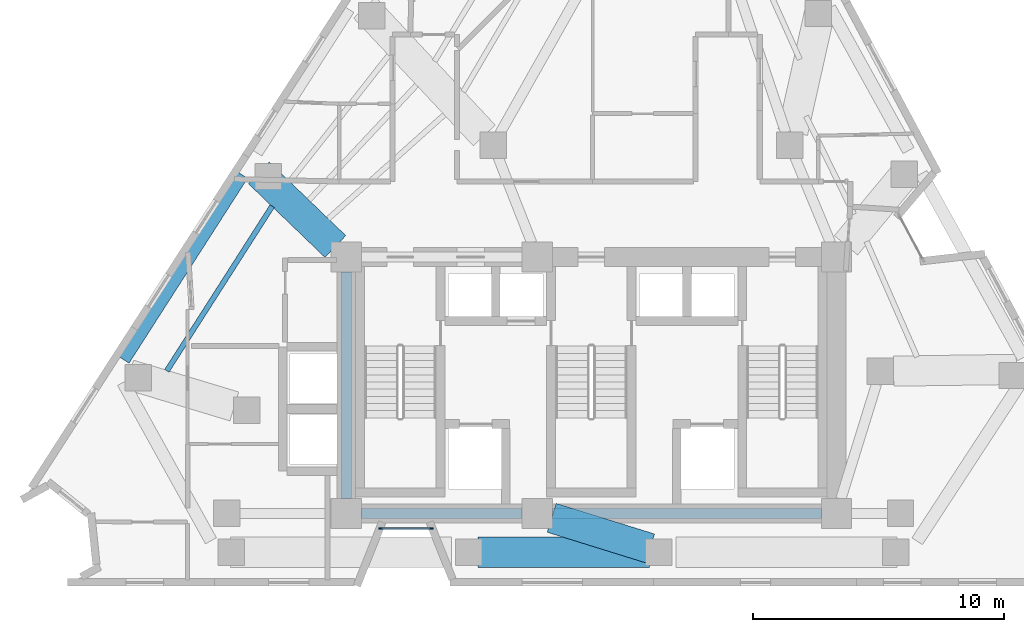
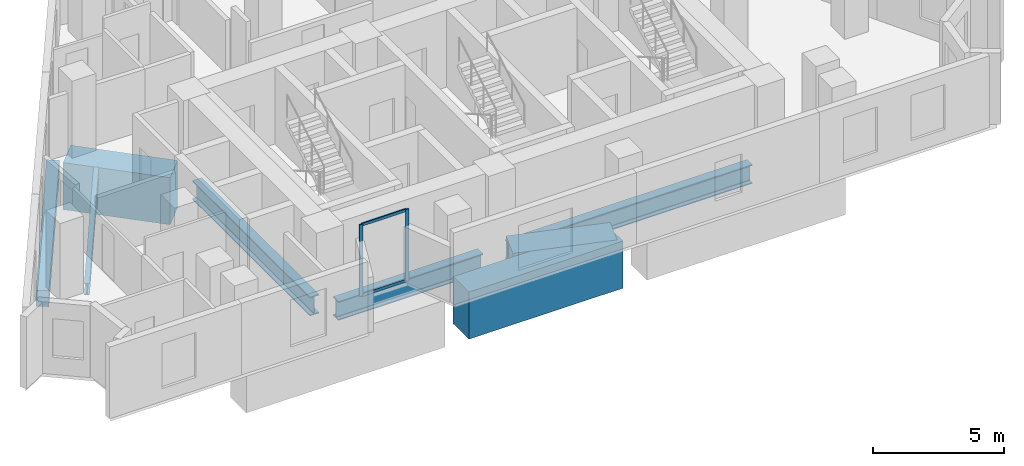
# One storey, part 2 of 11: 8 beams, 4 members, 1 element without a shape of its own.
"""IFC4 building model written with IfcOpenShell, lengths in metres."""

from ifc_helpers import new_model, si_unit, direction, frame, origin, origin_2d, place, context, subcontext, project, spatial, rectangle, i_section, extrude, material, layer, layer_set, material_profile, profile_set, type_object, element, aggregate, save


model = new_model("IFC4")

# Units and contexts
model_context = context("Model", 3, precision=1e-05, world=origin(), true_north=direction((0.0, 1.0)))
body_context = subcontext(model_context, "Body", "Model", "MODEL_VIEW")
ifc_project = project(units=[si_unit("LENGTHUNIT", "METRE"), si_unit("AREAUNIT", "SQUARE_METRE"), si_unit("VOLUMEUNIT", "CUBIC_METRE"), si_unit("PLANEANGLEUNIT", "RADIAN"), si_unit("MASSUNIT", "GRAM", prefix="KILO")], contexts=[model_context])

# Site, building, storey
site_placement = place(None, origin())
site = spatial("IfcSite", under=ifc_project, at=site_placement, CompositionType="ELEMENT")
building_placement = place(site_placement, origin())
building = spatial("IfcBuilding", under=site, at=building_placement, Name="Almagre Mirador Tower", CompositionType="ELEMENT")
storey_placement = place(building_placement, frame((0.0, 0.0, 175.199951171875)))
storey = spatial("IfcBuildingStorey", under=building, at=storey_placement, Name="L45", CompositionType="ELEMENT", Elevation=175.199951171875)

# Beams
ifc_material_1 = material(Name="Steel ASTM A992 Grade 50", Category="steel")
ifc_material_profile_1 = material_profile(ifc_material_1, i_section(OverallWidth=0.208984375, OverallDepth=0.532958984375, WebThickness=0.01025390625, FlangeThickness=0.015625, FilletRadius=0.01806640625, at=origin_2d()), Name="W21X62")
ifc_profile_set_1 = profile_set([ifc_material_profile_1], Name="Steel ASTM A992 Grade 50")
beam_type_1 = type_object("IfcBeamType", Name="BM-JST-W21X62", PredefinedType="JOIST", material=ifc_profile_set_1)
beam_1_placement = place(storey_placement, frame((24.6044921875, 16.76806640625, -0.516357421875), z_axis=(-0.538903142543, -0.84236773618, 0.0), x_axis=(0.84236773618, -0.538903142543, 0.0)))
element("IfcBeam", 1, at=beam_1_placement, inside=storey, type_object=beam_type_1, Name="L45 secondary floor joist PC11-PC12.1", PredefinedType="JOIST", context=body_context, shape_type="SweptSolid", body=[
    extrude(i_section(OverallWidth=0.208984375, OverallDepth=0.532958984375, WebThickness=0.01025390625, FlangeThickness=0.015625, FilletRadius=0.01806640625, at=origin_2d()), origin(), (0.0, 0.0, 1.0), 7.777099609375),
])
ifc_material_2 = material(Name="Precast concrete C50/60", Category="concrete")
ifc_material_profile_2 = material_profile(ifc_material_2, rectangle(XDim=0.5, YDim=0.75, at=origin_2d()), Name="RC500X750")
ifc_profile_set_2 = profile_set([ifc_material_profile_2], Name="Precast concrete C50/60")
beam_type_2 = type_object("IfcBeamType", Name="BM-SPN-RC500X750", PredefinedType="SPANDREL", material=ifc_profile_set_2)
beam_2_placement = place(storey_placement, frame((23.414794921875, 18.014892578125, -0.625), z_axis=(-0.539525433851, -0.841969302426, 0.0), x_axis=(0.841969302426, -0.539525433851, 0.0)))
element("IfcBeam", 2, at=beam_2_placement, inside=storey, type_object=beam_type_2, Name="L45 perimeter spandrel beam PC11-PC12", PredefinedType="SPANDREL", context=body_context, shape_type="SweptSolid", body=[
    extrude(rectangle(XDim=0.5, YDim=0.75, at=origin_2d()), origin(), (0.0, 0.0, 1.0), 8.736572265625),
])
ifc_material_3 = material(Name="Steel ASTM A992 Grade 50", Category="steel")
ifc_material_profile_3 = material_profile(ifc_material_3, i_section(OverallWidth=0.404052734375, OverallDepth=0.884033203125, WebThickness=0.0244140625, FlangeThickness=0.0439453125, FilletRadius=0.02490234375, at=origin_2d()), Name="W33X291")
ifc_profile_set_3 = profile_set([ifc_material_profile_3], Name="Steel ASTM A992 Grade 50")
beam_type_3 = type_object("IfcBeamType", Name="BM-STL-W33X291", PredefinedType="BEAM", material=ifc_profile_set_3)
beam_3_placement = place(storey_placement, frame((28.14990234375, 4.550048828125, -0.69189453125), z_axis=(1.0, 0.0, 0.0), x_axis=(0.0, 1.0, 0.0)))
element("IfcBeam", 3, at=beam_3_placement, inside=storey, type_object=beam_type_3, Name="L45 core tie girder CC1-CC2", PredefinedType="BEAM", context=body_context, shape_type="SweptSolid", body=[
    extrude(i_section(OverallWidth=0.404052734375, OverallDepth=0.884033203125, WebThickness=0.0244140625, FlangeThickness=0.0439453125, FilletRadius=0.02490234375, at=origin_2d()), origin(), (0.0, 0.0, 1.0), 6.400146484375),
])
beam_4_placement = place(storey_placement, frame((35.75, 4.550048828125, -0.69189453125), z_axis=(1.0, 0.0, 0.0), x_axis=(0.0, 1.0, 0.0)))
element("IfcBeam", 4, at=beam_4_placement, inside=storey, type_object=beam_type_3, Name="L45 core tie girder CC2-CC3", PredefinedType="BEAM", context=body_context, shape_type="SweptSolid", body=[
    extrude(i_section(OverallWidth=0.404052734375, OverallDepth=0.884033203125, WebThickness=0.0244140625, FlangeThickness=0.0439453125, FilletRadius=0.02490234375, at=origin_2d()), origin(), (0.0, 0.0, 1.0), 10.699951171875),
])
beam_5_placement = place(storey_placement, frame((27.550048828125, 5.14990234375, -0.69189453125), z_axis=(0.0, 1.0, 0.0), x_axis=(-1.0, 0.0, 0.0)))
element("IfcBeam", 5, at=beam_5_placement, inside=storey, type_object=beam_type_3, Name="L45 core tie girder CC1-CC4", PredefinedType="BEAM", context=body_context, shape_type="SweptSolid", body=[
    extrude(i_section(OverallWidth=0.404052734375, OverallDepth=0.884033203125, WebThickness=0.0244140625, FlangeThickness=0.0439453125, FilletRadius=0.02490234375, at=origin_2d()), origin(), (0.0, 0.0, 1.0), 9.0),
])
ifc_material_4 = material(Name="Concrete C60/75", Category="concrete")
ifc_material_profile_4 = material_profile(ifc_material_4, rectangle(XDim=1.199951171875, YDim=2.199951171875, at=origin_2d()), Name="RC1200X2200")
ifc_profile_set_4 = profile_set([ifc_material_profile_4], Name="Concrete C60/75")
beam_type_4 = type_object("IfcBeamType", Name="BM-XFER-RC1200X2200", PredefinedType="BEAM", material=ifc_profile_set_4)
beam_6_placement = place(storey_placement, frame((32.7890625, 3.0, -1.349853515625), z_axis=(1.0, 0.0, 0.0), x_axis=(0.0, 1.0, 0.0)))
element("IfcBeam", 6, at=beam_6_placement, inside=storey, type_object=beam_type_4, Name="L45 perimeter spandrel beam PC02-PC03", PredefinedType="BEAM", context=body_context, shape_type="SweptSolid", body=[
    extrude(rectangle(XDim=1.199951171875, YDim=2.199951171875, at=origin_2d()), origin(), (0.0, 0.0, 1.0), 6.822021484375),
])
beam_7_placement = place(storey_placement, frame((39.634765625, 3.15576171875, -1.349853515625), z_axis=(-0.954923245633, 0.296852816982, 0.0), x_axis=(-0.296852816982, -0.954923245633, 0.0)))
element("IfcBeam", 7, at=beam_7_placement, inside=storey, type_object=beam_type_4, Name="L45 radial transfer girder PC03-CC2", PredefinedType="BEAM", context=body_context, shape_type="SweptSolid", body=[
    extrude(rectangle(XDim=1.199951171875, YDim=2.199951171875, at=origin_2d()), origin(), (0.0, 0.0, 1.0), 4.096435546875),
])
beam_8_placement = place(storey_placement, frame((24.076416015625, 18.093017578125, -1.349853515625), z_axis=(0.720511778148, -0.693442699544, 0.0), x_axis=(0.693442699544, 0.720511778148, 0.0)))
element("IfcBeam", 8, at=beam_8_placement, inside=storey, type_object=beam_type_4, Name="L45 radial transfer girder PC11-CC4", PredefinedType="BEAM", context=body_context, shape_type="SweptSolid", body=[
    extrude(rectangle(XDim=1.199951171875, YDim=2.199951171875, at=origin_2d()), origin(), (0.0, 0.0, 1.0), 4.220947265625),
])

# Curtain wall, members
ifc_material_5 = material(Name="Black anodized aluminium", Category="aluminium")
ifc_layer = layer(ifc_material_5, 0.169921875)
ifc_layer_set = layer_set([ifc_layer], Name="Black anodized aluminium")
curtain_wall_type = type_object("IfcCurtainWallType", Name="CW-CRS-SYS", PredefinedType="NOTDEFINED", material=ifc_layer_set)
curtain_wall_placement = place(storey_placement, origin())
curtain_wall = element("IfcCurtainWall", 9, at=curtain_wall_placement, inside=storey, type_object=curtain_wall_type, Name="L45 vertical crease curtain wall 04", PredefinedType="NOTDEFINED")
ifc_material_6 = material(Name="Black anodized aluminium", Category="aluminium")
ifc_material_profile_5 = material_profile(ifc_material_6, rectangle(XDim=0.06005859375, YDim=0.14990234375, at=origin_2d()), Name="CWM60X150")
ifc_profile_set_5 = profile_set([ifc_material_profile_5], Name="Black anodized aluminium")
member_type_1 = type_object("IfcMemberType", Name="MBR-CWM60X150", PredefinedType="MULLION", material=ifc_profile_set_5)
member_1_placement = place(storey_placement, frame((30.943115234375, 3.949951171875, 0.0), z_axis=(0.0, 0.0, 1.0), x_axis=(0.0, -1.0, 0.0)))
member_1 = element("IfcMember", 10, at=member_1_placement, type_object=member_type_1, Name="CW-4 mullion 1", PredefinedType="MULLION", context=body_context, shape_type="SweptSolid", body=[
    extrude(rectangle(XDim=0.06005859375, YDim=0.14990234375, at=origin_2d()), origin(), (0.0, 0.0, 1.0), 3.35009765625),
])
member_2_placement = place(storey_placement, frame((28.9130859375, 3.949951171875, 0.0), z_axis=(0.0, 0.0, 1.0), x_axis=(0.0, -1.0, 0.0)))
member_2 = element("IfcMember", 11, at=member_2_placement, type_object=member_type_1, Name="CW-4 mullion 2", PredefinedType="MULLION", context=body_context, shape_type="SweptSolid", body=[
    extrude(rectangle(XDim=0.06005859375, YDim=0.14990234375, at=origin_2d()), origin(), (0.0, 0.0, 1.0), 3.35009765625),
])
ifc_material_7 = material(Name="Black anodized aluminium", Category="aluminium")
ifc_material_profile_6 = material_profile(ifc_material_7, rectangle(XDim=0.06005859375, YDim=0.1298828125, at=origin_2d()), Name="CWT60X130")
ifc_profile_set_6 = profile_set([ifc_material_profile_6], Name="Black anodized aluminium")
member_type_2 = type_object("IfcMemberType", Name="MBR-CWT60X130", PredefinedType="USERDEFINED", material=ifc_profile_set_6)
member_3_placement = place(storey_placement, frame((30.9130859375, 3.949951171875, 0.030029296875), z_axis=(-1.0, 0.0, 0.0), x_axis=(0.0, -1.0, 0.0)))
member_3 = element("IfcMember", 12, at=member_3_placement, type_object=member_type_2, Name="CW-4 transom 1.1", ObjectType="TRANSOM", PredefinedType="USERDEFINED", context=body_context, shape_type="SweptSolid", body=[
    extrude(rectangle(XDim=0.06005859375, YDim=0.1298828125, at=origin_2d()), origin(), (0.0, 0.0, 1.0), 1.969970703125),
])
member_4_placement = place(storey_placement, frame((30.9130859375, 3.949951171875, 3.320068359375), z_axis=(-1.0, 0.0, 0.0), x_axis=(0.0, -1.0, 0.0)))
member_4 = element("IfcMember", 13, at=member_4_placement, type_object=member_type_2, Name="CW-4 transom 1.2", ObjectType="TRANSOM", PredefinedType="USERDEFINED", context=body_context, shape_type="SweptSolid", body=[
    extrude(rectangle(XDim=0.06005859375, YDim=0.1298828125, at=origin_2d()), origin(), (0.0, 0.0, 1.0), 1.969970703125),
])
aggregate(curtain_wall, [member_1, member_2, member_3, member_4])

save(model, "model.ifc")
